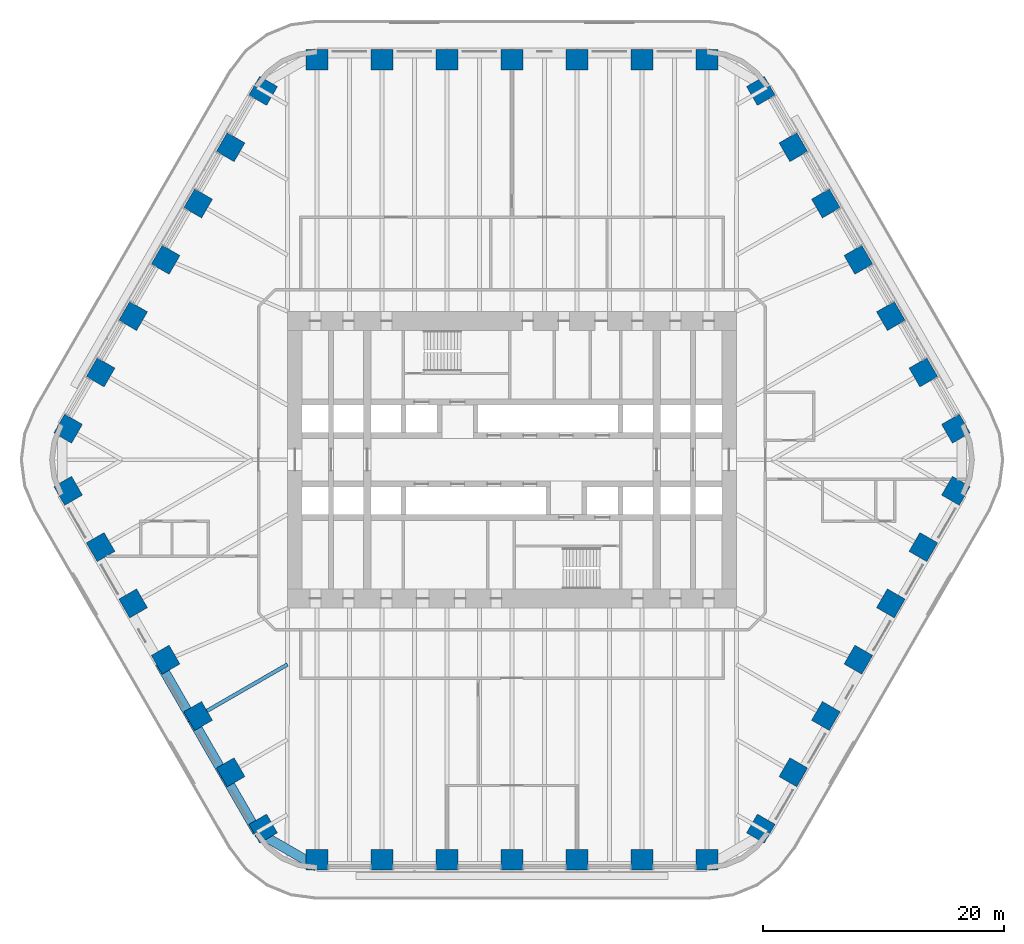
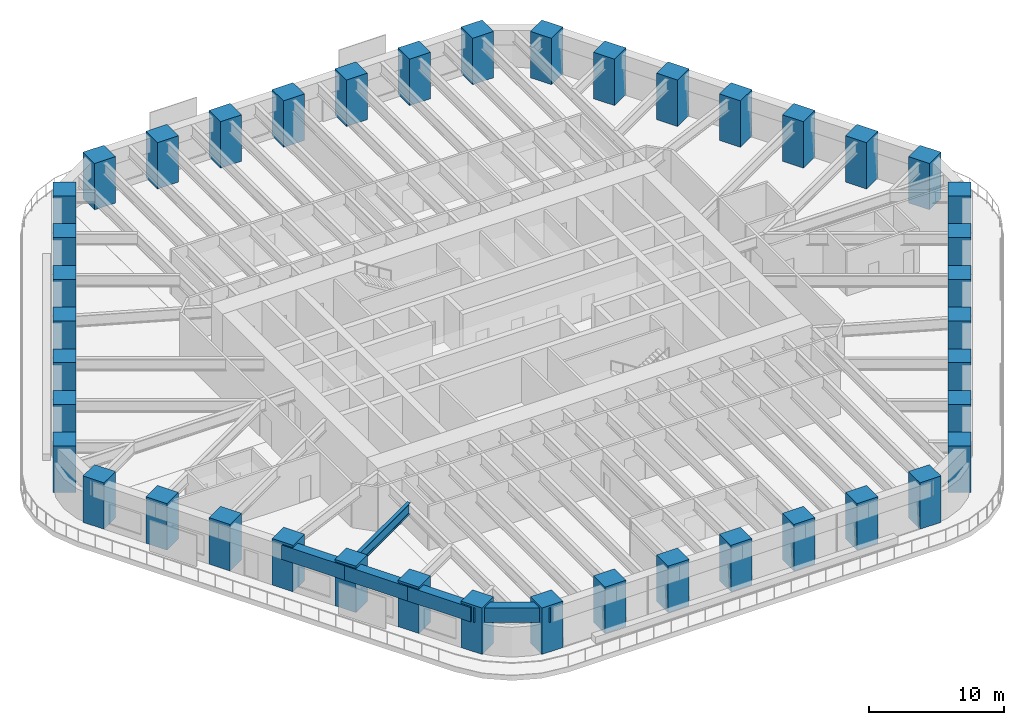
# One storey, part 1 of 23: 42 columns, 5 beams.
"""IFC4 building model written with IfcOpenShell, lengths in metres."""

from ifc_helpers import new_model, si_unit, direction, frame, origin, origin_2d, place, context, subcontext, project, spatial, rectangle, i_section, extrude, material, material_profile, profile_set, type_object, element, save


model = new_model("IFC4")

# Units and contexts
model_context = context("Model", 3, precision=1e-05, world=origin(), true_north=direction((0.0, 1.0)))
body_context = subcontext(model_context, "Body", "Model", "MODEL_VIEW")
ifc_project = project(units=[si_unit("LENGTHUNIT", "METRE"), si_unit("AREAUNIT", "SQUARE_METRE"), si_unit("VOLUMEUNIT", "CUBIC_METRE"), si_unit("PLANEANGLEUNIT", "RADIAN"), si_unit("MASSUNIT", "GRAM", prefix="KILO")], contexts=[model_context])

# Site, building, storey
site_placement = place(None, origin())
site = spatial("IfcSite", under=ifc_project, at=site_placement, CompositionType="ELEMENT")
building_placement = place(site_placement, origin())
building = spatial("IfcBuilding", under=site, at=building_placement, Name="Tarfa Lantern Tower", CompositionType="ELEMENT")
storey_placement = place(building_placement, frame((0.0, 0.0, 99.10009765625)))
storey = spatial("IfcBuildingStorey", under=building, at=storey_placement, Name="L22", CompositionType="ELEMENT", Elevation=99.10009765625)

# Columns
ifc_material_1 = material(Name="Concrete C80/95", Category="concrete")
ifc_material_profile_1 = material_profile(ifc_material_1, rectangle(XDim=1.800048828125, YDim=1.699951171875, at=origin_2d()), Name="RC 1800x1700")
ifc_profile_set_1 = profile_set([ifc_material_profile_1], Name="Concrete C80/95")
column_type = type_object("IfcColumnType", Name="TC4 RC 1800x1700", PredefinedType="COLUMN", material=ifc_profile_set_1)
for number, where, z_axis, x_axis, name in (
    (1, (36.791748046875, 2.574951171875, 0.0), (0.0, 0.0, 1.0), (-0.5, 0.866025403784, 0.0), "Tube column NE0"),
    (2, (34.097412109375, 7.24169921875, 0.0), (0.0, 0.0, 1.0), (-0.5, 0.866025403784, 0.0), "Tube column NE1"),
    (3, (31.403076171875, 11.908447265625, 0.0), (0.0, 0.0, 1.0), (-0.5, 0.866025403784, 0.0), "Tube column NE2"),
    (4, (28.708740234375, 16.574951171875, 0.0), (0.0, 0.0, 1.0), (-0.5, 0.866025403784, 0.0), "Tube column NE3"),
    (5, (26.014404296875, 21.24169921875, 0.0), (0.0, 0.0, 1.0), (-0.5, 0.866025403784, 0.0), "Tube column NE4"),
    (6, (23.320068359375, 25.908447265625, 0.0), (0.0, 0.0, 1.0), (-0.5, 0.866025403784, 0.0), "Tube column NE5"),
    (7, (20.625732421875, 30.574951171875, 0.0), (0.0, 0.0, 1.0), (-0.5, 0.866025403784, 0.0), "Tube column NE6"),
    (8, (16.165771484375, 33.14990234375, 0.0), (0.0, 0.0, 1.0), (-1.0, 0.0, 0.0), "Tube column N0"),
    (9, (10.777099609375, 33.14990234375, 0.0), (0.0, 0.0, 1.0), (-1.0, 0.0, 0.0), "Tube column N1"),
    (10, (5.388671875, 33.14990234375, 0.0), (0.0, 0.0, 1.0), (-1.0, 0.0, 0.0), "Tube column N2"),
    (11, (0.0, 33.14990234375, 0.0), (0.0, 0.0, 1.0), (-1.0, 0.0, 0.0), "Tube column N3"),
    (12, (-5.388671875, 33.14990234375, 0.0), (0.0, 0.0, 1.0), (-1.0, 0.0, 0.0), "Tube column N4"),
    (13, (-10.777099609375, 33.14990234375, 0.0), (0.0, 0.0, 1.0), (-1.0, 0.0, 0.0), "Tube column N5"),
    (14, (-16.165771484375, 33.14990234375, 0.0), (0.0, 0.0, 1.0), (-1.0, 0.0, 0.0), "Tube column N6"),
    (15, (-20.625732421875, 30.574951171875, 0.0), (0.0, 0.0, 1.0), (-0.5, -0.866025403784, 0.0), "Tube column NW0"),
    (16, (-23.320068359375, 25.908447265625, 0.0), (0.0, 0.0, 1.0), (-0.5, -0.866025403784, 0.0), "Tube column NW1"),
    (17, (-26.014404296875, 21.24169921875, 0.0), (0.0, 0.0, 1.0), (-0.5, -0.866025403784, 0.0), "Tube column NW2"),
    (18, (-28.708740234375, 16.574951171875, 0.0), (0.0, 0.0, 1.0), (-0.5, -0.866025403784, 0.0), "Tube column NW3"),
    (19, (-31.403076171875, 11.908447265625, 0.0), (0.0, 0.0, 1.0), (-0.5, -0.866025403784, 0.0), "Tube column NW4"),
    (20, (-34.097412109375, 7.24169921875, 0.0), (0.0, 0.0, 1.0), (-0.5, -0.866025403784, 0.0), "Tube column NW5"),
    (21, (-36.791748046875, 2.574951171875, 0.0), (0.0, 0.0, 1.0), (-0.5, -0.866025403784, 0.0), "Tube column NW6"),
    (22, (-36.791748046875, -2.574951171875, 0.0), (0.0, 0.0, 1.0), (0.5, -0.866025403784, 0.0), "Tube column SW0"),
    (23, (-34.097412109375, -7.24169921875, 0.0), (0.0, 0.0, 1.0), (0.5, -0.866025403784, 0.0), "Tube column SW1"),
    (24, (-31.403076171875, -11.908447265625, 0.0), (0.0, 0.0, 1.0), (0.5, -0.866025403784, 0.0), "Tube column SW2"),
    (25, (-28.708740234375, -16.574951171875, 0.0), (0.0, 0.0, 1.0), (0.5, -0.866025403784, 0.0), "Tube column SW3"),
    (26, (-26.014404296875, -21.24169921875, 0.0), (0.0, 0.0, 1.0), (0.5, -0.866025403784, 0.0), "Tube column SW4"),
    (27, (-23.320068359375, -25.908447265625, 0.0), (0.0, 0.0, 1.0), (0.5, -0.866025403784, 0.0), "Tube column SW5"),
    (28, (-20.625732421875, -30.574951171875, 0.0), (0.0, 0.0, 1.0), (0.5, -0.866025403784, 0.0), "Tube column SW6"),
    (29, (-16.165771484375, -33.14990234375, 0.0), (0.0, 0.0, 1.0), (1.0, 0.0, 0.0), "Tube column S0"),
    (30, (-10.777099609375, -33.14990234375, 0.0), (0.0, 0.0, 1.0), (1.0, 0.0, 0.0), "Tube column S1"),
    (31, (-5.388671875, -33.14990234375, 0.0), (0.0, 0.0, 1.0), (1.0, 0.0, 0.0), "Tube column S2"),
    (32, (0.0, -33.14990234375, 0.0), (0.0, 0.0, 1.0), (1.0, 0.0, 0.0), "Tube column S3"),
    (33, (5.388671875, -33.14990234375, 0.0), (0.0, 0.0, 1.0), (1.0, 0.0, 0.0), "Tube column S4"),
    (34, (10.777099609375, -33.14990234375, 0.0), (0.0, 0.0, 1.0), (1.0, 0.0, 0.0), "Tube column S5"),
    (35, (16.165771484375, -33.14990234375, 0.0), (0.0, 0.0, 1.0), (1.0, 0.0, 0.0), "Tube column S6"),
    (36, (20.625732421875, -30.574951171875, 0.0), (0.0, 0.0, 1.0), (0.5, 0.866025403784, 0.0), "Tube column SE0"),
    (37, (23.320068359375, -25.908447265625, 0.0), (0.0, 0.0, 1.0), (0.5, 0.866025403784, 0.0), "Tube column SE1"),
    (38, (26.014404296875, -21.24169921875, 0.0), (0.0, 0.0, 1.0), (0.5, 0.866025403784, 0.0), "Tube column SE2"),
    (39, (28.708740234375, -16.574951171875, 0.0), (0.0, 0.0, 1.0), (0.5, 0.866025403784, 0.0), "Tube column SE3"),
    (40, (31.403076171875, -11.908447265625, 0.0), (0.0, 0.0, 1.0), (0.5, 0.866025403784, 0.0), "Tube column SE4"),
    (41, (34.097412109375, -7.24169921875, 0.0), (0.0, 0.0, 1.0), (0.5, 0.866025403784, 0.0), "Tube column SE5"),
    (42, (36.791748046875, -2.574951171875, 0.0), (0.0, 0.0, 1.0), (0.5, 0.866025403784, 0.0), "Tube column SE6"),
):
    element("IfcColumn", number, at=place(storey_placement, frame(where, z_axis=z_axis, x_axis=x_axis)), inside=storey, type_object=column_type, Name=name, PredefinedType="COLUMN", context=body_context, shape_type="SweptSolid", body=[
        extrude(rectangle(XDim=1.800048828125, YDim=1.699951171875, at=origin_2d()), origin(), (0.0, 0.0, 1.0), 4.199951171875),
    ])

# Beams
ifc_material_profile_2 = material_profile(ifc_material_1, rectangle(XDim=0.800048828125, YDim=1.300048828125, at=origin_2d()), Name="RC 800x1300")
ifc_profile_set_2 = profile_set([ifc_material_profile_2], Name="Concrete C80/95")
beam_type_1 = type_object("IfcBeamType", Name="EB1 RC 800x1300", PredefinedType="SPANDREL", material=ifc_profile_set_2)
beam_1_placement = place(storey_placement, frame((-29.202392578125, -16.860107421875, 3.349853515625), z_axis=(0.500017906299, -0.866015065331, 0.0), x_axis=(0.866015065331, 0.500017906299, 0.0)))
element("IfcBeam", 43, at=beam_1_placement, inside=storey, type_object=beam_type_1, Name="Edge beam SW3", PredefinedType="SPANDREL", context=body_context, shape_type="SweptSolid", body=[
    extrude(rectangle(XDim=0.800048828125, YDim=1.300048828125, at=origin_2d()), origin(), (0.0, 0.0, 1.0), 5.388427734375),
])
for number, where, z_axis, x_axis, name in (
    (44, (-26.508056640625, -21.526611328125, 3.349853515625), (0.499998287579, -0.866026392449, 0.0), (0.866026392449, 0.499998287579, 0.0), "Edge beam SW4"),
    (45, (-23.813720703125, -26.193359375, 3.349853515625), (0.499998287579, -0.866026392449, 0.0), (0.866026392449, 0.499998287579, 0.0), "Edge beam SW5"),
):
    element("IfcBeam", number, at=place(storey_placement, frame(where, z_axis=z_axis, x_axis=x_axis)), inside=storey, type_object=beam_type_1, Name=name, PredefinedType="SPANDREL", context=body_context, shape_type="SweptSolid", body=[
        extrude(rectangle(XDim=0.800048828125, YDim=1.300048828125, at=origin_2d()), origin(), (0.0, 0.0, 1.0), 5.388671875),
    ])
beam_2_placement = place(storey_placement, frame((-21.119384765625, -30.860107421875, 3.349853515625), z_axis=(0.866033479681, -0.499986011877, 0.0), x_axis=(0.499986011877, 0.866033479681, 0.0)))
element("IfcBeam", 46, at=beam_2_placement, inside=storey, type_object=beam_type_1, Name="Edge beam SW6", PredefinedType="SPANDREL", context=body_context, shape_type="SweptSolid", body=[
    extrude(rectangle(XDim=0.800048828125, YDim=1.300048828125, at=origin_2d()), origin(), (0.0, 0.0, 1.0), 5.719970703125),
])
ifc_material_2 = material(Name="Steel S460M", Category="steel")
ifc_material_profile_3 = material_profile(ifc_material_2, i_section(OverallWidth=0.302001953125, OverallDepth=1.008056640625, WebThickness=0.02099609375, FlangeThickness=0.0400390625, FilletRadius=0.030029296875, at=origin_2d()), Name="UB1016x305x349")
ifc_profile_set_3 = profile_set([ifc_material_profile_3], Name="Steel S460M")
beam_type_2 = type_object("IfcBeamType", Name="UB1016x305x349", PredefinedType="BEAM", material=ifc_profile_set_3)
beam_3_placement = place(storey_placement, frame((-26.508056640625, -21.526611328125, 3.495849609375), z_axis=(0.866035355799, 0.49998276221, 0.0), x_axis=(-0.49998276221, 0.866035355799, 0.0)))
element("IfcBeam", 47, at=beam_3_placement, inside=storey, type_object=beam_type_2, Name="Floor beam SW4", PredefinedType="BEAM", context=body_context, shape_type="SweptSolid", body=[
    extrude(i_section(OverallWidth=0.302001953125, OverallDepth=1.008056640625, WebThickness=0.02099609375, FlangeThickness=0.0400390625, FilletRadius=0.030029296875, at=origin_2d()), origin(), (0.0, 0.0, 1.0), 9.119873046875),
])

save(model, "model.ifc")
